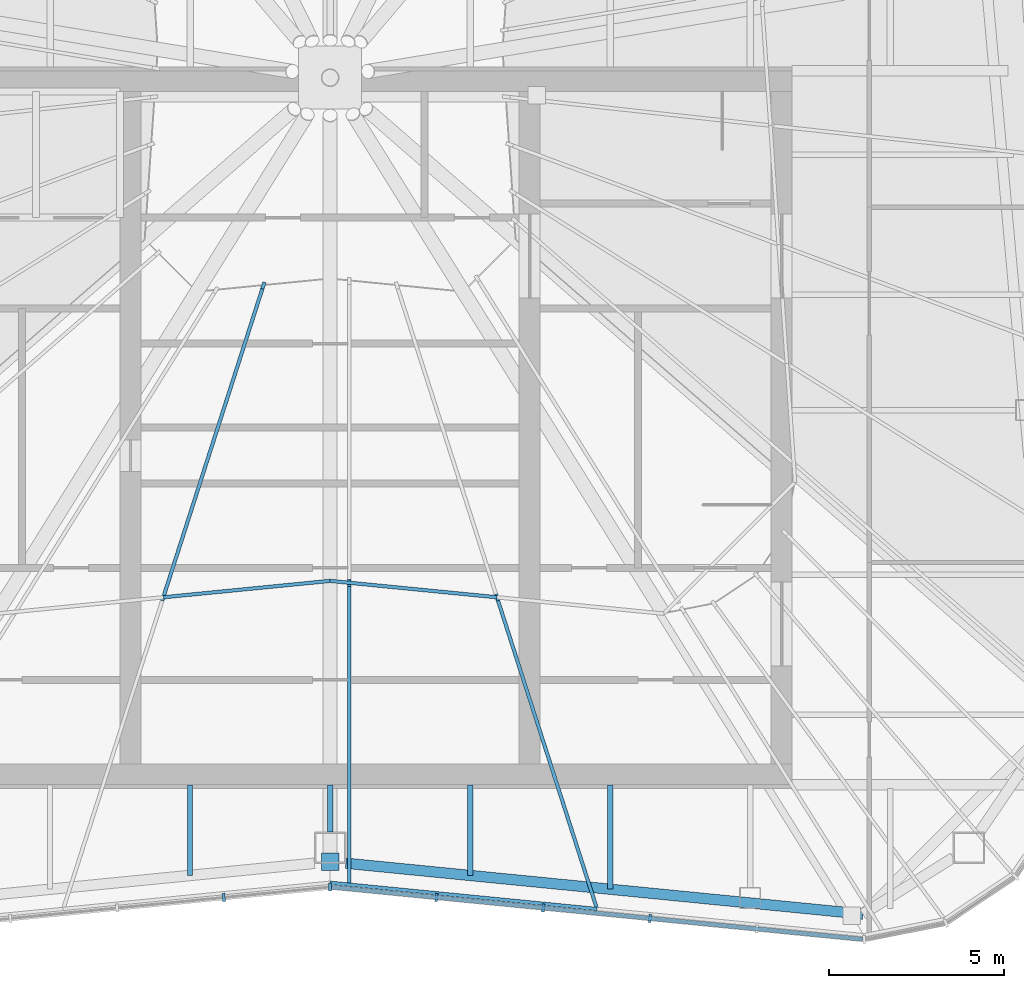
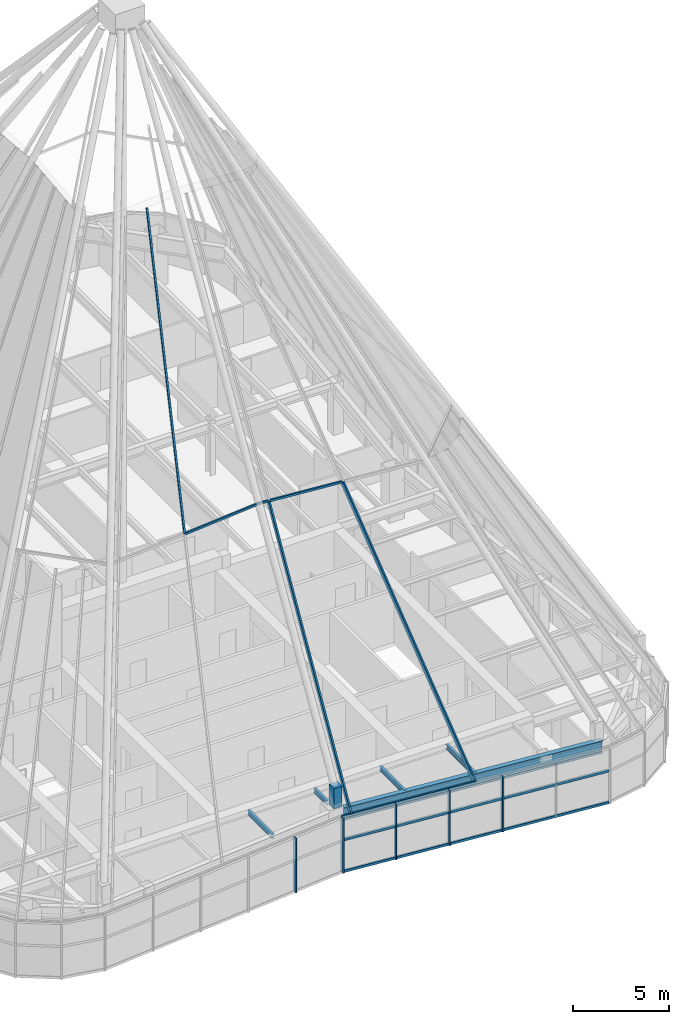
# One storey, part 5 of 28: 14 members, 5 beams, 5 elements without a shape of their own.
"""IFC4 building model written with IfcOpenShell, lengths in metres."""

from ifc_helpers import new_model, si_unit, direction, frame, origin, origin_2d, place, context, subcontext, project, spatial, rectangle, i_section, extrude, material, layer, layer_set, material_profile, profile_set, type_object, element, aggregate, save


model = new_model("IFC4")

# Units and contexts
model_context = context("Model", 3, precision=1e-05, world=origin(), true_north=direction((0.0, 1.0)))
body_context = subcontext(model_context, "Body", "Model", "MODEL_VIEW")
ifc_project = project(units=[si_unit("LENGTHUNIT", "METRE"), si_unit("AREAUNIT", "SQUARE_METRE"), si_unit("VOLUMEUNIT", "CUBIC_METRE"), si_unit("PLANEANGLEUNIT", "RADIAN"), si_unit("MASSUNIT", "GRAM", prefix="KILO")], contexts=[model_context])

# Site, building, storey
site_placement = place(None, origin())
site = spatial("IfcSite", under=ifc_project, at=site_placement, CompositionType="ELEMENT")
building_placement = place(site_placement, origin())
building = spatial("IfcBuilding", under=site, at=building_placement, Name="Verdant Reach Tower", CompositionType="ELEMENT")
storey_placement = place(building_placement, frame((0.0, 0.0, 368.0)))
storey = spatial("IfcBuildingStorey", under=building, at=storey_placement, Name="L83 Crown plant", CompositionType="ELEMENT", Elevation=368.0)

# Curtain wall, members
ifc_material_1 = material(Name="Anodised aluminium", Category="aluminium")
curtain_wall_type_1 = type_object("IfcCurtainWallType", Name="EN-CW SYSTEM PLANT", PredefinedType="NOTDEFINED", material=ifc_material_1)
curtain_wall_1_placement = place(storey_placement, origin())
curtain_wall_1 = element("IfcCurtainWall", 1, at=curtain_wall_1_placement, inside=storey, type_object=curtain_wall_type_1, Name="Curtain wall south, L83", PredefinedType="NOTDEFINED")
ifc_material_profile_1 = material_profile(ifc_material_1, rectangle(XDim=0.238037109375, YDim=0.080078125, at=origin_2d()), Name="Mullion 80x240")
ifc_profile_set_1 = profile_set([ifc_material_profile_1], Name="Anodised aluminium")
member_type_1 = type_object("IfcMemberType", Name="EN-MULLION PLANT", PredefinedType="MULLION", material=ifc_profile_set_1)
member_1_placement = place(storey_placement, frame((-3.038330078125, 14.58154296875, -0.35009765625), z_axis=(0.0, 0.0, 1.0), x_axis=(0.09788826992, -0.995197410875, 0.0)))
member_1 = element("IfcMember", 2, at=member_1_placement, type_object=member_type_1, Name="Mullion south face part 1 5, L83", PredefinedType="MULLION", context=body_context, shape_type="SweptSolid", body=[
    extrude(rectangle(XDim=0.238037109375, YDim=0.080078125, at=origin_2d()), origin(), (0.0, 0.0, 1.0), 3.5),
])
member_2_placement = place(storey_placement, frame((0.0, 14.881103515625, -0.35009765625), z_axis=(0.0, 0.0, 1.0), x_axis=(0.0, -1.0, 0.0)))
member_2 = element("IfcMember", 3, at=member_2_placement, type_object=member_type_1, Name="Mullion south face part 2 1, L83", PredefinedType="MULLION", context=body_context, shape_type="SweptSolid", body=[
    extrude(rectangle(XDim=0.238037109375, YDim=0.080078125, at=origin_2d()), origin(), (0.0, 0.0, 1.0), 3.5),
])
member_3_placement = place(storey_placement, frame((3.038330078125, 14.58154296875, -0.35009765625), z_axis=(0.0, 0.0, 1.0), x_axis=(-0.09788826992, -0.995197410875, 0.0)))
member_3 = element("IfcMember", 4, at=member_3_placement, type_object=member_type_1, Name="Mullion south face part 2 2, L83", PredefinedType="MULLION", context=body_context, shape_type="SweptSolid", body=[
    extrude(rectangle(XDim=0.238037109375, YDim=0.080078125, at=origin_2d()), origin(), (0.0, 0.0, 1.0), 3.5),
])
member_4_placement = place(storey_placement, frame((6.08837890625, 14.281494140625, -0.35009765625), z_axis=(0.0, 0.0, 1.0), x_axis=(-0.09788826992, -0.995197410875, 0.0)))
member_4 = element("IfcMember", 5, at=member_4_placement, type_object=member_type_1, Name="Mullion south face part 2 3, L83", PredefinedType="MULLION", context=body_context, shape_type="SweptSolid", body=[
    extrude(rectangle(XDim=0.238037109375, YDim=0.080078125, at=origin_2d()), origin(), (0.0, 0.0, 1.0), 3.5),
])
member_5_placement = place(storey_placement, frame((9.138427734375, 13.981689453125, -0.35009765625), z_axis=(0.0, 0.0, 1.0), x_axis=(-0.09788826992, -0.995197410875, 0.0)))
member_5 = element("IfcMember", 6, at=member_5_placement, type_object=member_type_1, Name="Mullion south face part 2 4, L83", PredefinedType="MULLION", context=body_context, shape_type="SweptSolid", body=[
    extrude(rectangle(XDim=0.238037109375, YDim=0.080078125, at=origin_2d()), origin(), (0.0, 0.0, 1.0), 3.5),
])

# Curtain wall, member
curtain_wall_type_2 = type_object("IfcCurtainWallType", Name="EN-CW SYSTEM CROWN APEX", PredefinedType="NOTDEFINED", material=ifc_material_1)
curtain_wall_2_placement = place(storey_placement, origin())
curtain_wall_2 = element("IfcCurtainWall", 7, at=curtain_wall_2_placement, inside=storey, type_object=curtain_wall_type_2, Name="Crown glazing unit south face part 2 1, level 01", PredefinedType="NOTDEFINED")
ifc_material_profile_2 = material_profile(ifc_material_1, rectangle(XDim=0.10009765625, YDim=0.239990234375, at=origin_2d()), Name="Mullion 100x240")
ifc_profile_set_2 = profile_set([ifc_material_profile_2], Name="Anodised aluminium")
member_type_2 = type_object("IfcMemberType", Name="EN-RIB MULLION CROWN", PredefinedType="MULLION", material=ifc_profile_set_2)
member_6_placement = place(storey_placement, frame((0.54736328125, 14.946044921875, 3.14990234375), z_axis=(0.0, 0.503823142257, 0.863806831026), x_axis=(-1.0, 0.0, 0.0)))
member_6 = element("IfcMember", 8, at=member_6_placement, type_object=member_type_2, Name="Crown mullion south face part 2 1, level 01", PredefinedType="MULLION", context=body_context, shape_type="SweptSolid", body=[
    extrude(rectangle(XDim=0.10009765625, YDim=0.239990234375, at=origin_2d()), origin(), (0.0, 0.0, 1.0), 17.119140625),
])

curtain_wall_3_placement = place(storey_placement, origin())
curtain_wall_3 = element("IfcCurtainWall", 9, at=curtain_wall_3_placement, inside=storey, type_object=curtain_wall_type_2, Name="Crown glazing unit south face part 2 2, level 01", PredefinedType="NOTDEFINED")
member_7_placement = place(storey_placement, frame((7.625, 14.25, 3.14990234375), z_axis=(-0.163414106655, 0.508994758433, 0.845115474734), x_axis=(-0.952132785838, -0.305684736506, 0.0)))
member_7 = element("IfcMember", 10, at=member_7_placement, type_object=member_type_2, Name="Crown mullion south face part 2 2, level 01", PredefinedType="MULLION", context=body_context, shape_type="SweptSolid", body=[
    extrude(rectangle(XDim=0.10009765625, YDim=0.239990234375, at=origin_2d()), origin(), (0.0, 0.0, 1.0), 17.497802734375),
])
aggregate(curtain_wall_3, [member_7])

curtain_wall_4_placement = place(storey_placement, origin())
curtain_wall_4 = element("IfcCurtainWall", 11, at=curtain_wall_4_placement, inside=storey, type_object=curtain_wall_type_2, Name="Crown glazing unit south face part 1 2, level 02", PredefinedType="NOTDEFINED")
member_8_placement = place(storey_placement, frame((-4.765625, 23.15625, 17.9375), z_axis=(0.166215002209, 0.517718859338, 0.839249519348), x_axis=(-0.952132785838, 0.305684736506, 0.0)))
member_8 = element("IfcMember", 12, at=member_8_placement, type_object=member_type_2, Name="Crown mullion south face part 1 2, level 02", PredefinedType="MULLION", context=body_context, shape_type="SweptSolid", body=[
    extrude(rectangle(XDim=0.10009765625, YDim=0.239990234375, at=origin_2d()), origin(), (0.0, 0.0, 1.0), 17.202880859375),
])

# Member
ifc_material_profile_3 = material_profile(ifc_material_1, rectangle(XDim=0.10009765625, YDim=0.139892578125, at=origin_2d()), Name="Transom 140x100")
ifc_profile_set_3 = profile_set([ifc_material_profile_3], Name="Anodised aluminium")
member_type_3 = type_object("IfcMemberType", Name="EN-TRANSOM CROWN", PredefinedType="USERDEFINED", material=ifc_profile_set_3)
member_9_placement = place(storey_placement, frame((0.0, 15.0, 3.14990234375), z_axis=(0.995197410875, -0.097888269922, 0.0), x_axis=(0.097888269922, 0.995197410875, 0.0)))
member_9 = element("IfcMember", 13, at=member_9_placement, type_object=member_type_3, Name="Crown transom south face part 2 1, level 01", ObjectType="TRANSOM", PredefinedType="USERDEFINED", context=body_context, shape_type="SweptSolid", body=[
    extrude(rectangle(XDim=0.10009765625, YDim=0.139892578125, at=origin_2d()), origin(), (0.0, 0.0, 1.0), 7.661865234375),
])

aggregate(curtain_wall_2, [member_6, member_9])

member_10_placement = place(storey_placement, frame((-4.765625, 23.15625, 17.9375), z_axis=(0.995197410875, 0.097888269922, 0.0), x_axis=(-0.097888269922, 0.995197410875, 0.0)))
member_10 = element("IfcMember", 14, at=member_10_placement, type_object=member_type_3, Name="Crown transom south face part 1 2, level 02", ObjectType="TRANSOM", PredefinedType="USERDEFINED", context=body_context, shape_type="SweptSolid", body=[
    extrude(rectangle(XDim=0.10009765625, YDim=0.139892578125, at=origin_2d()), origin(), (0.0, 0.0, 1.0), 4.78857421875),
])

aggregate(curtain_wall_4, [member_8, member_10])

# Curtain wall, member
curtain_wall_5_placement = place(storey_placement, origin())
curtain_wall_5 = element("IfcCurtainWall", 15, at=curtain_wall_5_placement, inside=storey, type_object=curtain_wall_type_2, Name="Crown glazing unit south face part 2 1, level 02", PredefinedType="NOTDEFINED")
member_11_placement = place(storey_placement, frame((0.0, 23.625, 17.9375), z_axis=(0.995197410875, -0.097888269922, 0.0), x_axis=(0.097888269922, 0.995197410875, 0.0)))
member_11 = element("IfcMember", 16, at=member_11_placement, type_object=member_type_3, Name="Crown transom south face part 2 1, level 02", ObjectType="TRANSOM", PredefinedType="USERDEFINED", context=body_context, shape_type="SweptSolid", body=[
    extrude(rectangle(XDim=0.10009765625, YDim=0.139892578125, at=origin_2d()), origin(), (0.0, 0.0, 1.0), 4.78857421875),
])
aggregate(curtain_wall_5, [member_11])

# Member
ifc_material_profile_4 = material_profile(ifc_material_1, rectangle(XDim=0.1201171875, YDim=0.14990234375, at=origin_2d()), Name="Transom 150x120")
ifc_profile_set_4 = profile_set([ifc_material_profile_4], Name="Anodised aluminium")
member_type_4 = type_object("IfcMemberType", Name="EN-TRANSOM PLANT", PredefinedType="USERDEFINED", material=ifc_profile_set_4)
member_12_placement = place(storey_placement, frame((0.039794921875, 14.877197265625, -0.27490234375), z_axis=(0.995200989722, -0.097851878144, 0.0), x_axis=(0.097851878144, 0.995200989722, 0.0)))
member_12 = element("IfcMember", 17, at=member_12_placement, type_object=member_type_4, Name="Transom south face part 2 1.1, L83", ObjectType="TRANSOM", PredefinedType="USERDEFINED", context=body_context, shape_type="SweptSolid", body=[
    extrude(rectangle(XDim=0.1201171875, YDim=0.14990234375, at=origin_2d()), origin(), (0.0, 0.0, 1.0), 15.24951171875),
])

member_13_placement = place(storey_placement, frame((0.039794921875, 14.877197265625, 1.75), z_axis=(0.995200989722, -0.097851878144, 0.0), x_axis=(0.097851878144, 0.995200989722, 0.0)))
member_13 = element("IfcMember", 18, at=member_13_placement, type_object=member_type_4, Name="Transom south face part 2 1.2, L83", ObjectType="TRANSOM", PredefinedType="USERDEFINED", context=body_context, shape_type="SweptSolid", body=[
    extrude(rectangle(XDim=0.1201171875, YDim=0.14990234375, at=origin_2d()), origin(), (0.0, 0.0, 1.0), 15.24951171875),
])

aggregate(curtain_wall_1, [member_1, member_2, member_3, member_4, member_5, member_12, member_13])

# Beams
ifc_material_2 = material(Name="Steel S355", Category="steel")
ifc_material_profile_5 = material_profile(ifc_material_2, i_section(OverallWidth=0.14990234375, OverallDepth=0.300048828125, WebThickness=0.007080078125, FlangeThickness=0.0107421875, FilletRadius=0.014892578125, at=origin_2d()), Name="IPE 300")
ifc_profile_set_5 = profile_set([ifc_material_profile_5], Name="Steel S355")
beam_type_1 = type_object("IfcBeamType", Name="ST-JOIST-IPE300", PredefinedType="JOIST", material=ifc_profile_set_5)
beam_1_placement = place(storey_placement, frame((-4.0, 17.800048828125, 3.14990234375), z_axis=(0.0, -1.0, 0.0), x_axis=(1.0, 0.0, 0.0)))
element("IfcBeam", 19, at=beam_1_placement, inside=storey, type_object=beam_type_1, Name="Floor joist, L83 Crown plant", PredefinedType="JOIST", context=body_context, shape_type="SweptSolid", body=[
    extrude(i_section(OverallWidth=0.14990234375, OverallDepth=0.300048828125, WebThickness=0.007080078125, FlangeThickness=0.0107421875, FilletRadius=0.014892578125, at=origin_2d()), origin(), (0.0, 0.0, 1.0), 2.590576171875),
])
beam_2_placement = place(storey_placement, frame((0.0, 17.800048828125, 3.14990234375), z_axis=(0.0, -1.0, 0.0), x_axis=(1.0, 0.0, 0.0)))
element("IfcBeam", 20, at=beam_2_placement, inside=storey, type_object=beam_type_1, Name="Floor joist, L83 Crown plant", PredefinedType="JOIST", context=body_context, shape_type="SweptSolid", body=[
    extrude(i_section(OverallWidth=0.14990234375, OverallDepth=0.300048828125, WebThickness=0.007080078125, FlangeThickness=0.0107421875, FilletRadius=0.014892578125, at=origin_2d()), origin(), (0.0, 0.0, 1.0), 1.35009765625),
])
beam_3_placement = place(storey_placement, frame((4.0, 17.800048828125, 3.14990234375), z_axis=(0.0, -1.0, 0.0), x_axis=(1.0, 0.0, 0.0)))
element("IfcBeam", 21, at=beam_3_placement, inside=storey, type_object=beam_type_1, Name="Floor joist, L83 Crown plant", PredefinedType="JOIST", context=body_context, shape_type="SweptSolid", body=[
    extrude(i_section(OverallWidth=0.14990234375, OverallDepth=0.300048828125, WebThickness=0.007080078125, FlangeThickness=0.0107421875, FilletRadius=0.014892578125, at=origin_2d()), origin(), (0.0, 0.0, 1.0), 2.590576171875),
])
beam_4_placement = place(storey_placement, frame((8.0, 17.800048828125, 3.14990234375), z_axis=(0.0, -1.0, 0.0), x_axis=(1.0, 0.0, 0.0)))
element("IfcBeam", 22, at=beam_4_placement, inside=storey, type_object=beam_type_1, Name="Floor joist, L83 Crown plant", PredefinedType="JOIST", context=body_context, shape_type="SweptSolid", body=[
    extrude(i_section(OverallWidth=0.14990234375, OverallDepth=0.300048828125, WebThickness=0.007080078125, FlangeThickness=0.0107421875, FilletRadius=0.014892578125, at=origin_2d()), origin(), (0.0, 0.0, 1.0), 2.984130859375),
])

# Member
ifc_material_3 = material(Name="Steel S460", Category="steel")
ifc_layer = layer(ifc_material_3, 0.5)
ifc_layer_set = layer_set([ifc_layer], Name="ST-NODE-FOOT")
member_type_5 = type_object("IfcMemberType", Name="ST-NODE-FOOT", PredefinedType="POST", material=ifc_layer_set)
member_14_placement = place(storey_placement, frame((0.0, 15.59716796875, 3.5), z_axis=(0.0, 0.0, 1.0), x_axis=(1.0, 0.0, 0.0)))
element("IfcMember", 23, at=member_14_placement, inside=storey, type_object=member_type_5, Name="Crown rib foot node 12", PredefinedType="POST", context=body_context, shape_type="SweptSolid", body=[
    extrude(rectangle(XDim=0.5, YDim=0.5, at=origin_2d()), origin(), (0.0, 0.0, 1.0), 1.299560546875),
])

# Beam
ifc_material_profile_6 = material_profile(ifc_material_2, i_section(OverallWidth=0.300048828125, OverallDepth=0.800048828125, WebThickness=0.017578125, FlangeThickness=0.032958984375, FilletRadius=0.030029296875, at=origin_2d()), Name="HEB 800")
ifc_profile_set_6 = profile_set([ifc_material_profile_6], Name="Steel S355")
beam_type_2 = type_object("IfcBeamType", Name="ST-SPANDREL-HEB800", PredefinedType="SPANDREL", material=ifc_profile_set_6)
beam_5_placement = place(storey_placement, frame((15.22021484375, 14.105712890625, 2.89990234375), z_axis=(-0.995196964263, 0.097892810366, 0.0), x_axis=(-0.097892810366, -0.995196964263, 0.0)))
element("IfcBeam", 24, at=beam_5_placement, inside=storey, type_object=beam_type_2, Name="Edge beam, L83 Crown plant", PredefinedType="SPANDREL", context=body_context, shape_type="SweptSolid", body=[
    extrude(i_section(OverallWidth=0.300048828125, OverallDepth=0.800048828125, WebThickness=0.017578125, FlangeThickness=0.032958984375, FilletRadius=0.030029296875, at=origin_2d()), origin(), (0.0, 0.0, 1.0), 14.841552734375),
])

save(model, "model.ifc")
